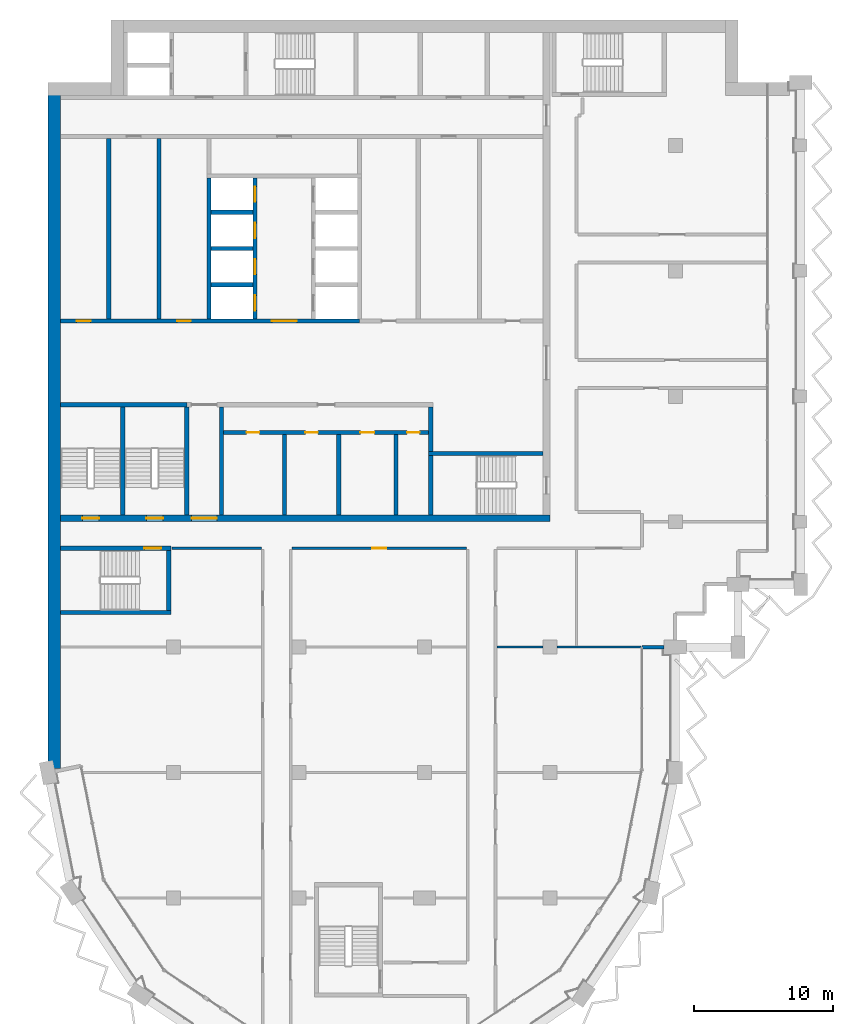
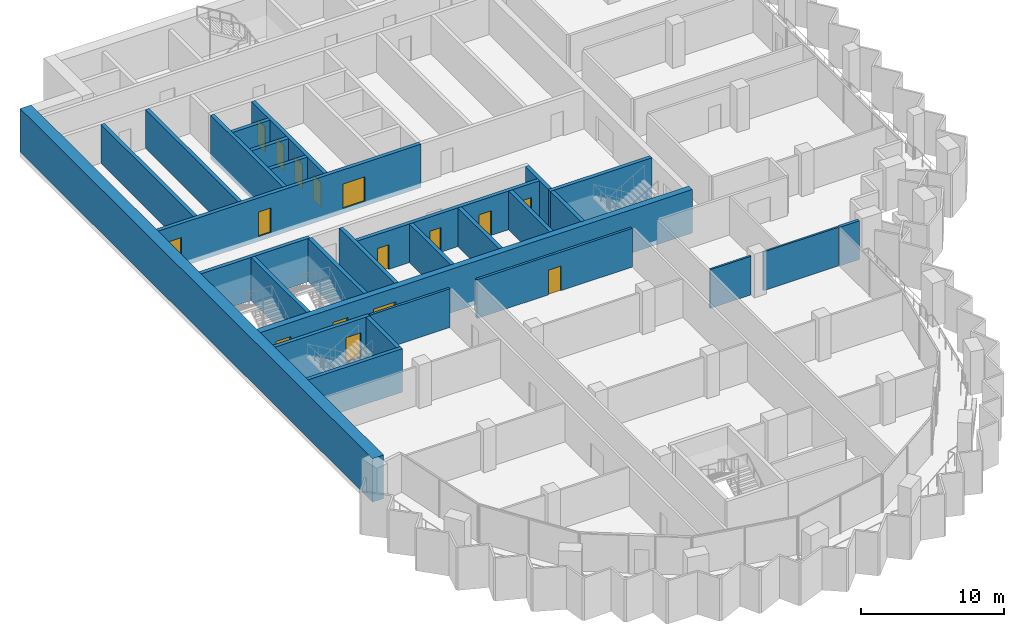
# One storey, part 8 of 16: 29 walls, 16 doors, 16 openings.
"""IFC4 building model written with IfcOpenShell, lengths in metres."""

from ifc_helpers import new_model, si_unit, direction, frame, frame_2d, origin, place, context, subcontext, project, spatial, rectangle, extrude, material, layer, layer_set, type_object, element, fill, save


model = new_model("IFC4")

# Units and contexts
model_context = context("Model", 3, precision=1e-05, world=origin(), true_north=direction((0.0, 1.0)))
body_context = subcontext(model_context, "Body", "Model", "MODEL_VIEW")
ifc_project = project(units=[si_unit("LENGTHUNIT", "METRE"), si_unit("AREAUNIT", "SQUARE_METRE"), si_unit("VOLUMEUNIT", "CUBIC_METRE"), si_unit("PLANEANGLEUNIT", "RADIAN"), si_unit("MASSUNIT", "GRAM", prefix="KILO")], contexts=[model_context])

# Site, building, storey
site_placement = place(None, origin())
site = spatial("IfcSite", under=ifc_project, at=site_placement, CompositionType="ELEMENT")
building_placement = place(site_placement, origin())
building = spatial("IfcBuilding", under=site, at=building_placement, Name="Hunhe Ridgeline Campus", CompositionType="ELEMENT")
storey_placement = place(building_placement, frame((0.0, 0.0, 242.89990234375)))
storey = spatial("IfcBuildingStorey", under=building, at=storey_placement, Name="L62", CompositionType="ELEMENT", Elevation=242.89990234375)

# Wall, openings, doors
ifc_material_1 = material(Name="Masonry concrete blockwork", Category="masonry")
ifc_layer_1 = layer(ifc_material_1, 0.300048828125)
ifc_layer_set_1 = layer_set([ifc_layer_1], Name="Core room partition 300 concrete block")
wall_type_1 = type_object("IfcWallType", Name="Core room partition 300 concrete block", PredefinedType="PARTITIONING", material=ifc_layer_set_1)
wall_1_placement = place(storey_placement, frame((12.60009765625, 69.39990234375, 0.0), z_axis=(0.0, 0.0, 1.0), x_axis=(1.0, 0.0, 0.0)))
wall_1 = element("IfcWall", 1, at=wall_1_placement, inside=storey, type_object=wall_type_1, Name="L62 core partition 7", PredefinedType="PARTITIONING", context=body_context, shape_type="SweptSolid", body=[
    extrude(rectangle(XDim=14.699951171875, YDim=0.300048828125, at=frame_2d((7.35009765625, 0.0))), origin(), (0.0, 0.0, 1.0), 3.300048828125),
])
opening_1_placement = place(wall_1_placement, frame((1.64990234375, 0.0, 0.0)))
opening_1 = element("IfcOpeningElement", 2, at=opening_1_placement, cuts=wall_1, Name="Opening CD8", PredefinedType="OPENING", context=body_context, shape_type="SweptSolid", body=[
    extrude(rectangle(XDim=0.89990234375, YDim=2.10009765625, at=frame_2d((0.449951171875, 1.050048828125))), frame((0.0, 0.14990234375, 0.0), z_axis=(0.0, -1.0, 0.0), x_axis=(1.0, 0.0, 0.0)), (0.0, 0.0, 1.0), 0.300048828125),
])
opening_2_placement = place(wall_1_placement, frame((5.85009765625, 0.0, 0.0)))
opening_2 = element("IfcOpeningElement", 3, at=opening_2_placement, cuts=wall_1, Name="Opening CD9", PredefinedType="OPENING", context=body_context, shape_type="SweptSolid", body=[
    extrude(rectangle(XDim=0.89990234375, YDim=2.10009765625, at=frame_2d((0.449951171875, 1.050048828125))), frame((0.0, 0.14990234375, 0.0), z_axis=(0.0, -1.0, 0.0), x_axis=(1.0, 0.0, 0.0)), (0.0, 0.0, 1.0), 0.300048828125),
])
opening_3_placement = place(wall_1_placement, frame((9.800048828125, 0.0, 0.0)))
opening_3 = element("IfcOpeningElement", 4, at=opening_3_placement, cuts=wall_1, Name="Opening CD10", PredefinedType="OPENING", context=body_context, shape_type="SweptSolid", body=[
    extrude(rectangle(XDim=1.0, YDim=2.10009765625, at=frame_2d((0.5, 1.050048828125))), frame((0.0, 0.14990234375, 0.0), z_axis=(0.0, -1.0, 0.0), x_axis=(1.0, 0.0, 0.0)), (0.0, 0.0, 1.0), 0.300048828125),
])
opening_4_placement = place(wall_1_placement, frame((13.14990234375, 0.0, 0.0)))
opening_4 = element("IfcOpeningElement", 5, at=opening_4_placement, cuts=wall_1, Name="Opening CD11", PredefinedType="OPENING", context=body_context, shape_type="SweptSolid", body=[
    extrude(rectangle(XDim=0.89990234375, YDim=2.10009765625, at=frame_2d((0.449951171875, 1.050048828125))), frame((0.0, 0.14990234375, 0.0), z_axis=(0.0, -1.0, 0.0), x_axis=(1.0, 0.0, 0.0)), (0.0, 0.0, 1.0), 0.300048828125),
])
ifc_material_2 = material(Name="Solid core timber door leaf", Category="wood")
door_type_1 = type_object("IfcDoorType", Name="Timber door 1000x2100", OperationType="SINGLE_SWING_LEFT", PredefinedType="DOOR", material=ifc_material_2)
door_1_placement = place(opening_3_placement, frame((1.0, 0.0, 0.0), z_axis=(0.0, 0.0, 1.0), x_axis=(-1.0, 0.0, 0.0)))
door_1 = element("IfcDoor", 6, at=door_1_placement, inside=storey, type_object=door_type_1, Name="L62 door WC3", OperationType="SINGLE_SWING_LEFT", OverallHeight=2.10009765625, OverallWidth=1.0, PredefinedType="DOOR", context=body_context, shape_type="SweptSolid", body=[
    extrude(rectangle(XDim=1.0, YDim=2.10009765625, at=frame_2d((0.5, 1.050048828125))), frame((0.0, 0.02490234375, 0.0), z_axis=(0.0, -1.0, 0.0), x_axis=(1.0, 0.0, 0.0)), (0.0, 0.0, 1.0), 0.050048828125),
])
fill(opening_3, door_1)
door_type_2 = type_object("IfcDoorType", Name="Timber door 900x2100", OperationType="SINGLE_SWING_LEFT", PredefinedType="DOOR", material=ifc_material_2)
door_2_placement = place(opening_1_placement, frame((0.89990234375, 0.0, 0.0), z_axis=(0.0, 0.0, 1.0), x_axis=(-1.0, 0.0, 0.0)))
door_2 = element("IfcDoor", 7, at=door_2_placement, inside=storey, type_object=door_type_2, Name="L62 door WC1", OperationType="SINGLE_SWING_LEFT", OverallHeight=2.10009765625, OverallWidth=0.89990234375, PredefinedType="DOOR", context=body_context, shape_type="SweptSolid", body=[
    extrude(rectangle(XDim=0.89990234375, YDim=2.10009765625, at=frame_2d((0.449951171875, 1.050048828125))), frame((0.0, 0.02490234375, 0.0), z_axis=(0.0, -1.0, 0.0), x_axis=(1.0, 0.0, 0.0)), (0.0, 0.0, 1.0), 0.050048828125),
])
fill(opening_1, door_2)
door_3_placement = place(opening_2_placement, frame((0.89990234375, 0.0, 0.0), z_axis=(0.0, 0.0, 1.0), x_axis=(-1.0, 0.0, 0.0)))
door_3 = element("IfcDoor", 8, at=door_3_placement, inside=storey, type_object=door_type_2, Name="L62 door WC2", OperationType="SINGLE_SWING_RIGHT", OverallHeight=2.10009765625, OverallWidth=0.89990234375, PredefinedType="DOOR", context=body_context, shape_type="SweptSolid", body=[
    extrude(rectangle(XDim=0.89990234375, YDim=2.10009765625, at=frame_2d((0.449951171875, 1.050048828125))), frame((0.0, 0.02490234375, 0.0), z_axis=(0.0, -1.0, 0.0), x_axis=(1.0, 0.0, 0.0)), (0.0, 0.0, 1.0), 0.050048828125),
])
fill(opening_2, door_3)
door_4_placement = place(opening_4_placement, frame((0.89990234375, 0.0, 0.0), z_axis=(0.0, 0.0, 1.0), x_axis=(-1.0, 0.0, 0.0)))
door_4 = element("IfcDoor", 9, at=door_4_placement, inside=storey, type_object=door_type_2, Name="L62 door WC4", OperationType="SINGLE_SWING_RIGHT", OverallHeight=2.10009765625, OverallWidth=0.89990234375, PredefinedType="DOOR", context=body_context, shape_type="SweptSolid", body=[
    extrude(rectangle(XDim=0.89990234375, YDim=2.10009765625, at=frame_2d((0.449951171875, 1.050048828125))), frame((0.0, 0.02490234375, 0.0), z_axis=(0.0, -1.0, 0.0), x_axis=(1.0, 0.0, 0.0)), (0.0, 0.0, 1.0), 0.050048828125),
])
fill(opening_4, door_4)

# Walls
for number, where, z_axis, x_axis, name in (
    (10, (4.35009765625, 77.550048828125, 0.0), (0.0, 0.0, 1.0), (0.0, 1.0, 0.0), "L62 core partition 23"),
    (11, (7.949951171875, 77.550048828125, 0.0), (0.0, 0.0, 1.0), (0.0, 1.0, 0.0), "L62 core partition 26"),
):
    element("IfcWall", number, at=place(storey_placement, frame(where, z_axis=z_axis, x_axis=x_axis)), inside=storey, type_object=wall_type_1, Name=name, PredefinedType="PARTITIONING", context=body_context, shape_type="SweptSolid", body=[
        extrude(rectangle(XDim=12.949951171875, YDim=0.300048828125, at=frame_2d((6.47509765625, 0.0))), origin(), (0.0, 0.0, 1.0), 3.300048828125),
    ])
wall_2_placement = place(storey_placement, frame((12.449951171875, 63.5, 0.0), z_axis=(0.0, 0.0, 1.0), x_axis=(0.0, 1.0, 0.0)))
element("IfcWall", 12, at=wall_2_placement, inside=storey, type_object=wall_type_1, Name="L62 core partition 32", PredefinedType="PARTITIONING", context=body_context, shape_type="SweptSolid", body=[
    extrude(rectangle(XDim=7.75, YDim=0.300048828125, at=frame_2d((3.875, 0.0))), origin(), (0.0, 0.0, 1.0), 3.300048828125),
])
for number, where, z_axis, x_axis, name in (
    (13, (16.949951171875, 63.5, 0.0), (0.0, 0.0, 1.0), (0.0, 1.0, 0.0), "L62 core partition 35"),
    (14, (20.85009765625, 63.5, 0.0), (0.0, 0.0, 1.0), (0.0, 1.0, 0.0), "L62 core partition 38"),
    (15, (24.949951171875, 63.5, 0.0), (0.0, 0.0, 1.0), (0.0, 1.0, 0.0), "L62 core partition 43"),
):
    element("IfcWall", number, at=place(storey_placement, frame(where, z_axis=z_axis, x_axis=x_axis)), inside=storey, type_object=wall_type_1, Name=name, PredefinedType="PARTITIONING", context=body_context, shape_type="SweptSolid", body=[
        extrude(rectangle(XDim=5.75, YDim=0.300048828125, at=frame_2d((2.875, 0.0))), origin(), (0.0, 0.0, 1.0), 3.300048828125),
    ])
wall_3_placement = place(storey_placement, frame((27.449951171875, 68.050048828125, 0.0), z_axis=(0.0, 0.0, 1.0), x_axis=(0.0, 1.0, 0.0)))
element("IfcWall", 16, at=wall_3_placement, inside=storey, type_object=wall_type_1, Name="L62 core partition 47", PredefinedType="PARTITIONING", context=body_context, shape_type="SweptSolid", body=[
    extrude(rectangle(XDim=3.199951171875, YDim=0.300048828125, at=frame_2d((1.60009765625, 0.0))), origin(), (0.0, 0.0, 1.0), 3.300048828125),
])

# Wall, openings, doors
ifc_material_3 = material(Name="Concrete C50", Category="concrete")
ifc_layer_2 = layer(ifc_material_3, 0.5)
ifc_layer_set_2 = layer_set([ifc_layer_2], Name="Core wall 500 reinforced concrete C50")
wall_type_2 = type_object("IfcWallType", Name="Core wall 500 reinforced concrete C50", PredefinedType="SOLIDWALL", material=ifc_layer_set_2)
wall_4_placement = place(storey_placement, frame((0.89990234375, 63.25, -0.39990234375), z_axis=(0.0, 0.0, 1.0), x_axis=(1.0, 0.0, 0.0)))
wall_4 = element("IfcWall", 17, at=wall_4_placement, inside=storey, type_object=wall_type_2, Name="L62 core wall 5", PredefinedType="SOLIDWALL", context=body_context, shape_type="SweptSolid", body=[
    extrude(rectangle(XDim=35.10009765625, YDim=0.5, at=frame_2d((17.550048828125, 0.0))), origin(), (0.0, 0.0, 1.0), 3.699951171875),
])
opening_5_placement = place(wall_4_placement, frame((9.39990234375, 0.0, 0.39990234375)))
opening_5 = element("IfcOpeningElement", 18, at=opening_5_placement, cuts=wall_4, Name="Opening CD6", PredefinedType="OPENING", context=body_context, shape_type="SweptSolid", body=[
    extrude(rectangle(XDim=1.800048828125, YDim=2.10009765625, at=frame_2d((0.89990234375, 1.050048828125))), frame((0.0, 0.25, 0.0), z_axis=(0.0, -1.0, 0.0), x_axis=(1.0, 0.0, 0.0)), (0.0, 0.0, 1.0), 0.5),
])
opening_6_placement = place(wall_4_placement, frame((1.550048828125, 0.0, 0.39990234375)))
opening_6 = element("IfcOpeningElement", 19, at=opening_6_placement, cuts=wall_4, Name="Opening CD13", PredefinedType="OPENING", context=body_context, shape_type="SweptSolid", body=[
    extrude(rectangle(XDim=1.199951171875, YDim=2.10009765625, at=frame_2d((0.60009765625, 1.050048828125))), frame((0.0, 0.25, 0.0), z_axis=(0.0, -1.0, 0.0), x_axis=(1.0, 0.0, 0.0)), (0.0, 0.0, 1.0), 0.5),
])
opening_7_placement = place(wall_4_placement, frame((6.14990234375, 0.0, 0.39990234375)))
opening_7 = element("IfcOpeningElement", 20, at=opening_7_placement, cuts=wall_4, Name="Opening CD14", PredefinedType="OPENING", context=body_context, shape_type="SweptSolid", body=[
    extrude(rectangle(XDim=1.199951171875, YDim=2.10009765625, at=frame_2d((0.60009765625, 1.050048828125))), frame((0.0, 0.25, 0.0), z_axis=(0.0, -1.0, 0.0), x_axis=(1.0, 0.0, 0.0)), (0.0, 0.0, 1.0), 0.5),
])
ifc_material_4 = material(Name="Anodised aluminium and glass", Category="aluminium")
door_type_3 = type_object("IfcDoorType", Name="Glazed double door 1800x2100", OperationType="DOUBLE_DOOR_SINGLE_SWING", PredefinedType="DOOR", material=ifc_material_4)
door_5_placement = place(opening_5_placement, frame((1.800048828125, 0.0, 0.0), z_axis=(0.0, 0.0, 1.0), x_axis=(-1.0, 0.0, 0.0)))
door_5 = element("IfcDoor", 21, at=door_5_placement, inside=storey, type_object=door_type_3, Name="L62 door VEST-FLOOR", OperationType="DOUBLE_DOOR_SINGLE_SWING", OverallHeight=2.10009765625, OverallWidth=1.800048828125, PredefinedType="DOOR", context=body_context, shape_type="SweptSolid", body=[
    extrude(rectangle(XDim=1.800048828125, YDim=2.10009765625, at=frame_2d((0.89990234375, 1.050048828125))), frame((0.0, 0.02490234375, 0.0), z_axis=(0.0, -1.0, 0.0), x_axis=(1.0, 0.0, 0.0)), (0.0, 0.0, 1.0), 0.050048828125),
])
fill(opening_5, door_5)
ifc_material_5 = material(Name="Hollow metal fire door leaf")
door_type_4 = type_object("IfcDoorType", Name="Stair door 1200x2100 FD60", OperationType="SINGLE_SWING_LEFT", PredefinedType="DOOR", material=ifc_material_5)
door_6_placement = place(opening_6_placement, frame((1.199951171875, 0.0, 0.0), z_axis=(0.0, 0.0, 1.0), x_axis=(-1.0, 0.0, 0.0)))
door_6 = element("IfcDoor", 22, at=door_6_placement, inside=storey, type_object=door_type_4, Name="L62 door S3", OperationType="SINGLE_SWING_LEFT", OverallHeight=2.10009765625, OverallWidth=1.199951171875, PredefinedType="DOOR", context=body_context, shape_type="SweptSolid", body=[
    extrude(rectangle(XDim=1.199951171875, YDim=2.10009765625, at=frame_2d((0.60009765625, 1.050048828125))), frame((0.0, 0.02490234375, 0.0), z_axis=(0.0, -1.0, 0.0), x_axis=(1.0, 0.0, 0.0)), (0.0, 0.0, 1.0), 0.050048828125),
])
fill(opening_6, door_6)
door_7_placement = place(opening_7_placement, frame((1.199951171875, 0.0, 0.0), z_axis=(0.0, 0.0, 1.0), x_axis=(-1.0, 0.0, 0.0)))
door_7 = element("IfcDoor", 23, at=door_7_placement, inside=storey, type_object=door_type_4, Name="L62 door S4", OperationType="SINGLE_SWING_RIGHT", OverallHeight=2.10009765625, OverallWidth=1.199951171875, PredefinedType="DOOR", context=body_context, shape_type="SweptSolid", body=[
    extrude(rectangle(XDim=1.199951171875, YDim=2.10009765625, at=frame_2d((0.60009765625, 1.050048828125))), frame((0.0, 0.02490234375, 0.0), z_axis=(0.0, -1.0, 0.0), x_axis=(1.0, 0.0, 0.0)), (0.0, 0.0, 1.0), 0.050048828125),
])
fill(opening_7, door_7)

# Walls
ifc_material_6 = material(Name="Concrete C30", Category="concrete")
ifc_layer_3 = layer(ifc_material_6, 0.25)
ifc_layer_set_3 = layer_set([ifc_layer_3], Name="Corner return wall 250 Concrete C30")
wall_type_3 = type_object("IfcWallType", Name="Corner return wall 250 Concrete C30", PredefinedType="SOLIDWALL", material=ifc_layer_set_3)
wall_5_placement = place(storey_placement, frame((42.59912109375, 54.00048828125, 0.0), z_axis=(0.0, 0.0, 1.0), x_axis=(0.999999988371, 0.000152508767, 0.0)))
element("IfcWall", 24, at=wall_5_placement, inside=storey, type_object=wall_type_3, Name="Corner return wall 2", PredefinedType="SOLIDWALL", context=body_context, shape_type="SweptSolid", body=[
    extrude(rectangle(XDim=1.600830078125, YDim=0.25, at=frame_2d((0.80029296875, 0.0))), origin(), (0.0, 0.0, 1.0), 3.300048828125),
])
ifc_material_7 = material(Name="Gypsum board partition")
ifc_layer_4 = layer(ifc_material_7, 0.199951171875)
ifc_layer_set_4 = layer_set([ifc_layer_4], Name="Corridor partition 200 gypsum board on steel studs")
wall_type_4 = type_object("IfcWallType", Name="Corridor partition 200 gypsum board on steel studs", PredefinedType="PARTITIONING", material=ifc_layer_set_4)
wall_6_placement = place(storey_placement, frame((15.300048828125, 61.10009765625, 0.0), z_axis=(0.0, 0.0, 1.0), x_axis=(-1.0, 0.0, 0.0)))
element("IfcWall", 25, at=wall_6_placement, inside=storey, type_object=wall_type_4, Name="F-L62-wall-022", PredefinedType="PARTITIONING", context=body_context, shape_type="SweptSolid", body=[
    extrude(rectangle(XDim=6.39599609375, YDim=0.199951171875, at=frame_2d((3.197998046875, 0.0))), origin(), (0.0, 0.0, 1.0), 3.300048828125),
])

# Wall, opening, door
wall_7_placement = place(storey_placement, frame((30.0, 61.10009765625, 0.0), z_axis=(0.0, 0.0, 1.0), x_axis=(-1.0, 0.0, 0.0)))
wall_7 = element("IfcWall", 26, at=wall_7_placement, inside=storey, type_object=wall_type_4, Name="F-L62-wall-023", PredefinedType="PARTITIONING", context=body_context, shape_type="SweptSolid", body=[
    extrude(rectangle(XDim=12.5, YDim=0.199951171875, at=frame_2d((6.25, 0.0))), origin(), (0.0, 0.0, 1.0), 3.300048828125),
])
opening_8_placement = place(wall_7_placement, frame((5.75, 0.0, 0.0)))
opening_8 = element("IfcOpeningElement", 27, at=opening_8_placement, cuts=wall_7, Name="Opening RD1-015", PredefinedType="OPENING", context=body_context, shape_type="SweptSolid", body=[
    extrude(rectangle(XDim=1.0, YDim=2.10009765625, at=frame_2d((0.5, 1.050048828125))), frame((0.0, 0.10009765625, 0.0), z_axis=(0.0, -1.0, 0.0), x_axis=(1.0, 0.0, 0.0)), (0.0, 0.0, 1.0), 0.199951171875),
])
ifc_material_8 = material(Name="Timber door leaf", Category="wood")
door_type_5 = type_object("IfcDoorType", Name="Single fire door 1000x2100 timber FD60", OperationType="NOTDEFINED", PredefinedType="DOOR", material=ifc_material_8)
door_8_placement = place(opening_8_placement, origin())
door_8 = element("IfcDoor", 28, at=door_8_placement, inside=storey, type_object=door_type_5, Name="F-L62-door-015", OperationType="SINGLE_SWING_LEFT", OverallHeight=2.10009765625, OverallWidth=1.0, PredefinedType="DOOR", context=body_context, shape_type="SweptSolid", body=[
    extrude(rectangle(XDim=1.0, YDim=2.10009765625, at=frame_2d((0.5, 1.050048828125))), frame((0.0, 0.02490234375, 0.0), z_axis=(0.0, -1.0, 0.0), x_axis=(1.0, 0.0, 0.0)), (0.0, 0.0, 1.0), 0.050048828125),
])
fill(opening_8, door_8)

# Walls
ifc_layer_5 = layer(ifc_material_7, 0.14990234375)
ifc_layer_set_5 = layer_set([ifc_layer_5], Name="Room partition 150 gypsum board on steel studs")
wall_type_5 = type_object("IfcWallType", Name="Room partition 150 gypsum board on steel studs", PredefinedType="PARTITIONING", material=ifc_layer_set_5)
wall_8_placement = place(storey_placement, frame((32.199951171875, 54.0, 0.0), z_axis=(0.0, 0.0, 1.0), x_axis=(1.0, 0.0, 0.0)))
element("IfcWall", 29, at=wall_8_placement, inside=storey, type_object=wall_type_5, Name="F-L62-wall-020", PredefinedType="PARTITIONING", context=body_context, shape_type="SweptSolid", body=[
    extrude(rectangle(XDim=3.300048828125, YDim=0.14990234375, at=frame_2d((1.64990234375, 0.0))), origin(), (0.0, 0.0, 1.0), 3.300048828125),
])
wall_9_placement = place(storey_placement, frame((36.5, 54.0, 0.0), z_axis=(0.0, 0.0, 1.0), x_axis=(1.0, 0.0, 0.0)))
element("IfcWall", 30, at=wall_9_placement, inside=storey, type_object=wall_type_5, Name="F-L62-wall-021", PredefinedType="PARTITIONING", context=body_context, shape_type="SweptSolid", body=[
    extrude(rectangle(XDim=6.045166015625, YDim=0.14990234375, at=frame_2d((3.0224609375, 0.0))), origin(), (0.0, 0.0, 1.0), 3.300048828125),
])

# Wall, openings, doors
ifc_layer_6 = layer(ifc_material_3, 0.300048828125)
ifc_layer_set_6 = layer_set([ifc_layer_6], Name="Shaft wall 300 reinforced concrete C50")
wall_type_6 = type_object("IfcWallType", Name="Shaft wall 300 reinforced concrete C50", PredefinedType="SOLIDWALL", material=ifc_layer_set_6)
wall_10_placement = place(storey_placement, frame((0.89990234375, 77.39990234375, -0.39990234375), z_axis=(0.0, 0.0, 1.0), x_axis=(1.0, 0.0, 0.0)))
wall_10 = element("IfcWall", 31, at=wall_10_placement, inside=storey, type_object=wall_type_6, Name="L62 core wall 10", PredefinedType="SOLIDWALL", context=body_context, shape_type="SweptSolid", body=[
    extrude(rectangle(XDim=21.4501953125, YDim=0.300048828125, at=frame_2d((10.72509765625, 0.0))), origin(), (0.0, 0.0, 1.0), 3.699951171875),
])
opening_9_placement = place(wall_10_placement, frame((15.14990234375, 0.0, 0.39990234375)))
opening_9 = element("IfcOpeningElement", 32, at=opening_9_placement, cuts=wall_10, Name="Opening CD38", PredefinedType="OPENING", context=body_context, shape_type="SweptSolid", body=[
    extrude(rectangle(XDim=1.800048828125, YDim=2.10009765625, at=frame_2d((0.89990234375, 1.050048828125))), frame((0.0, 0.14990234375, 0.0), z_axis=(0.0, -1.0, 0.0), x_axis=(1.0, 0.0, 0.0)), (0.0, 0.0, 1.0), 0.300048828125),
])
opening_10_placement = place(wall_10_placement, frame((1.14990234375, 0.0, 0.39990234375)))
opening_10 = element("IfcOpeningElement", 33, at=opening_10_placement, cuts=wall_10, Name="Opening CD39", PredefinedType="OPENING", context=body_context, shape_type="SweptSolid", body=[
    extrude(rectangle(XDim=1.0, YDim=2.10009765625, at=frame_2d((0.5, 1.050048828125))), frame((0.0, 0.14990234375, 0.0), z_axis=(0.0, -1.0, 0.0), x_axis=(1.0, 0.0, 0.0)), (0.0, 0.0, 1.0), 0.300048828125),
])
opening_11_placement = place(wall_10_placement, frame((8.35009765625, 0.0, 0.39990234375)))
opening_11 = element("IfcOpeningElement", 34, at=opening_11_placement, cuts=wall_10, Name="Opening CD41", PredefinedType="OPENING", context=body_context, shape_type="SweptSolid", body=[
    extrude(rectangle(XDim=1.0, YDim=2.10009765625, at=frame_2d((0.5, 1.050048828125))), frame((0.0, 0.14990234375, 0.0), z_axis=(0.0, -1.0, 0.0), x_axis=(1.0, 0.0, 0.0)), (0.0, 0.0, 1.0), 0.300048828125),
])
door_type_6 = type_object("IfcDoorType", Name="Lobby door 1800x2100 FD60", OperationType="SINGLE_SWING_LEFT", PredefinedType="DOOR", material=ifc_material_5)
door_9_placement = place(opening_9_placement, frame((1.800048828125, 0.0, 0.0), z_axis=(0.0, 0.0, 1.0), x_axis=(-1.0, 0.0, 0.0)))
door_9 = element("IfcDoor", 35, at=door_9_placement, inside=storey, type_object=door_type_6, Name="L62 door LOB-HR", OperationType="SINGLE_SWING_RIGHT", OverallHeight=2.10009765625, OverallWidth=1.800048828125, PredefinedType="DOOR", context=body_context, shape_type="SweptSolid", body=[
    extrude(rectangle(XDim=1.800048828125, YDim=2.10009765625, at=frame_2d((0.89990234375, 1.050048828125))), frame((0.0, 0.02490234375, 0.0), z_axis=(0.0, -1.0, 0.0), x_axis=(1.0, 0.0, 0.0)), (0.0, 0.0, 1.0), 0.050048828125),
])
fill(opening_9, door_9)
door_10_placement = place(opening_10_placement, origin())
door_10 = element("IfcDoor", 36, at=door_10_placement, inside=storey, type_object=door_type_1, Name="L62 door VD-LR0", OperationType="SINGLE_SWING_RIGHT", OverallHeight=2.10009765625, OverallWidth=1.0, PredefinedType="DOOR", context=body_context, shape_type="SweptSolid", body=[
    extrude(rectangle(XDim=1.0, YDim=2.10009765625, at=frame_2d((0.5, 1.050048828125))), frame((0.0, 0.02490234375, 0.0), z_axis=(0.0, -1.0, 0.0), x_axis=(1.0, 0.0, 0.0)), (0.0, 0.0, 1.0), 0.050048828125),
])
fill(opening_10, door_10)
door_11_placement = place(opening_11_placement, origin())
door_11 = element("IfcDoor", 37, at=door_11_placement, inside=storey, type_object=door_type_1, Name="L62 door VD-LR2", OperationType="SINGLE_SWING_RIGHT", OverallHeight=2.10009765625, OverallWidth=1.0, PredefinedType="DOOR", context=body_context, shape_type="SweptSolid", body=[
    extrude(rectangle(XDim=1.0, YDim=2.10009765625, at=frame_2d((0.5, 1.050048828125))), frame((0.0, 0.02490234375, 0.0), z_axis=(0.0, -1.0, 0.0), x_axis=(1.0, 0.0, 0.0)), (0.0, 0.0, 1.0), 0.050048828125),
])
fill(opening_11, door_11)

# Walls
for number, where, z_axis, x_axis, name in (
    (38, (11.699951171875, 80.0, -0.39990234375), (0.0, 0.0, 1.0), (1.0, 0.0, 0.0), "L62 core wall 12"),
    (39, (11.699951171875, 82.60009765625, -0.39990234375), (0.0, 0.0, 1.0), (1.0, 0.0, 0.0), "L62 core wall 14"),
    (40, (11.699951171875, 85.199951171875, -0.39990234375), (0.0, 0.0, 1.0), (1.0, 0.0, 0.0), "L62 core wall 16"),
):
    element("IfcWall", number, at=place(storey_placement, frame(where, z_axis=z_axis, x_axis=x_axis)), inside=storey, type_object=wall_type_6, Name=name, PredefinedType="SOLIDWALL", context=body_context, shape_type="SweptSolid", body=[
        extrude(rectangle(XDim=3.0, YDim=0.300048828125, at=frame_2d((1.5, 0.0))), origin(), (0.0, 0.0, 1.0), 3.699951171875),
    ])
wall_11_placement = place(storey_placement, frame((11.550048828125, 77.550048828125, -0.39990234375), z_axis=(0.0, 0.0, 1.0), x_axis=(0.0, 1.0, 0.0)))
element("IfcWall", 41, at=wall_11_placement, inside=storey, type_object=wall_type_6, Name="L62 core wall 30", PredefinedType="SOLIDWALL", context=body_context, shape_type="SweptSolid", body=[
    extrude(rectangle(XDim=10.099853515625, YDim=0.300048828125, at=frame_2d((5.0498046875, 0.0))), origin(), (0.0, 0.0, 1.0), 3.699951171875),
])

# Wall, openings, doors
wall_12_placement = place(storey_placement, frame((14.85009765625, 77.550048828125, -0.39990234375), z_axis=(0.0, 0.0, 1.0), x_axis=(0.0, 1.0, 0.0)))
wall_12 = element("IfcWall", 42, at=wall_12_placement, inside=storey, type_object=wall_type_6, Name="L62 core wall 34", PredefinedType="SOLIDWALL", context=body_context, shape_type="SweptSolid", body=[
    extrude(rectangle(XDim=10.099853515625, YDim=0.300048828125, at=frame_2d((5.0498046875, 0.0))), origin(), (0.0, 0.0, 1.0), 3.699951171875),
])
opening_12_placement = place(wall_12_placement, frame((0.60009765625, 0.0, 0.39990234375)))
opening_12 = element("IfcOpeningElement", 43, at=opening_12_placement, cuts=wall_12, Name="Opening LD-HR1", PredefinedType="OPENING", context=body_context, shape_type="SweptSolid", body=[
    extrude(rectangle(XDim=1.10009765625, YDim=2.10009765625, at=frame_2d((0.550048828125, 1.050048828125))), frame((0.0, 0.14990234375, 0.0), z_axis=(0.0, -1.0, 0.0), x_axis=(1.0, 0.0, 0.0)), (0.0, 0.0, 1.0), 0.300048828125),
])
opening_13_placement = place(wall_12_placement, frame((3.199951171875, 0.0, 0.39990234375)))
opening_13 = element("IfcOpeningElement", 44, at=opening_13_placement, cuts=wall_12, Name="Opening LD-HR2", PredefinedType="OPENING", context=body_context, shape_type="SweptSolid", body=[
    extrude(rectangle(XDim=1.10009765625, YDim=2.10009765625, at=frame_2d((0.550048828125, 1.050048828125))), frame((0.0, 0.14990234375, 0.0), z_axis=(0.0, -1.0, 0.0), x_axis=(1.0, 0.0, 0.0)), (0.0, 0.0, 1.0), 0.300048828125),
])
opening_14_placement = place(wall_12_placement, frame((5.800048828125, 0.0, 0.39990234375)))
opening_14 = element("IfcOpeningElement", 45, at=opening_14_placement, cuts=wall_12, Name="Opening LD-HR3", PredefinedType="OPENING", context=body_context, shape_type="SweptSolid", body=[
    extrude(rectangle(XDim=1.10009765625, YDim=2.10009765625, at=frame_2d((0.550048828125, 1.050048828125))), frame((0.0, 0.14990234375, 0.0), z_axis=(0.0, -1.0, 0.0), x_axis=(1.0, 0.0, 0.0)), (0.0, 0.0, 1.0), 0.300048828125),
])
opening_15_placement = place(wall_12_placement, frame((8.39990234375, 0.0, 0.39990234375)))
opening_15 = element("IfcOpeningElement", 46, at=opening_15_placement, cuts=wall_12, Name="Opening LD-HR4", PredefinedType="OPENING", context=body_context, shape_type="SweptSolid", body=[
    extrude(rectangle(XDim=1.10009765625, YDim=2.10009765625, at=frame_2d((0.550048828125, 1.050048828125))), frame((0.0, 0.14990234375, 0.0), z_axis=(0.0, -1.0, 0.0), x_axis=(1.0, 0.0, 0.0)), (0.0, 0.0, 1.0), 0.300048828125),
])
ifc_material_9 = material(Name="Stainless steel sliding leaves", Category="steel")
door_type_7 = type_object("IfcDoorType", Name="Landing door 1100x2100 FD120", OperationType="SLIDING_TO_LEFT", PredefinedType="DOOR", material=ifc_material_9)
door_12_placement = place(opening_12_placement, origin())
door_12 = element("IfcDoor", 47, at=door_12_placement, inside=storey, type_object=door_type_7, Name="L62 landing door HR1", OperationType="SLIDING_TO_RIGHT", OverallHeight=2.10009765625, OverallWidth=1.10009765625, PredefinedType="DOOR", context=body_context, shape_type="SweptSolid", body=[
    extrude(rectangle(XDim=1.10009765625, YDim=2.10009765625, at=frame_2d((0.550048828125, 1.050048828125))), frame((0.0, 0.02490234375, 0.0), z_axis=(0.0, -1.0, 0.0), x_axis=(1.0, 0.0, 0.0)), (0.0, 0.0, 1.0), 0.050048828125),
])
fill(opening_12, door_12)
door_13_placement = place(opening_13_placement, origin())
door_13 = element("IfcDoor", 48, at=door_13_placement, inside=storey, type_object=door_type_7, Name="L62 landing door HR2", OperationType="SLIDING_TO_LEFT", OverallHeight=2.10009765625, OverallWidth=1.10009765625, PredefinedType="DOOR", context=body_context, shape_type="SweptSolid", body=[
    extrude(rectangle(XDim=1.10009765625, YDim=2.10009765625, at=frame_2d((0.550048828125, 1.050048828125))), frame((0.0, 0.02490234375, 0.0), z_axis=(0.0, -1.0, 0.0), x_axis=(1.0, 0.0, 0.0)), (0.0, 0.0, 1.0), 0.050048828125),
])
fill(opening_13, door_13)
door_14_placement = place(opening_14_placement, origin())
door_14 = element("IfcDoor", 49, at=door_14_placement, inside=storey, type_object=door_type_7, Name="L62 landing door HR3", OperationType="SLIDING_TO_RIGHT", OverallHeight=2.10009765625, OverallWidth=1.10009765625, PredefinedType="DOOR", context=body_context, shape_type="SweptSolid", body=[
    extrude(rectangle(XDim=1.10009765625, YDim=2.10009765625, at=frame_2d((0.550048828125, 1.050048828125))), frame((0.0, 0.02490234375, 0.0), z_axis=(0.0, -1.0, 0.0), x_axis=(1.0, 0.0, 0.0)), (0.0, 0.0, 1.0), 0.050048828125),
])
fill(opening_14, door_14)
door_15_placement = place(opening_15_placement, origin())
door_15 = element("IfcDoor", 50, at=door_15_placement, inside=storey, type_object=door_type_7, Name="L62 landing door HR4", OperationType="SLIDING_TO_LEFT", OverallHeight=2.10009765625, OverallWidth=1.10009765625, PredefinedType="DOOR", context=body_context, shape_type="SweptSolid", body=[
    extrude(rectangle(XDim=1.10009765625, YDim=2.10009765625, at=frame_2d((0.550048828125, 1.050048828125))), frame((0.0, 0.02490234375, 0.0), z_axis=(0.0, -1.0, 0.0), x_axis=(1.0, 0.0, 0.0)), (0.0, 0.0, 1.0), 0.050048828125),
])
fill(opening_15, door_15)

# Walls
ifc_material_10 = material(Name="Concrete C60", Category="concrete")
ifc_layer_7 = layer(ifc_material_10, 0.89990234375)
ifc_layer_set_7 = layer_set([ifc_layer_7], Name="Spine wall 900 Concrete C60")
wall_type_7 = type_object("IfcWallType", Name="Spine wall 900 Concrete C60", PredefinedType="SHEAR", material=ifc_layer_set_7)
wall_13_placement = place(storey_placement, frame((0.449951171875, 94.5, 0.0), z_axis=(0.0, 0.0, 1.0), x_axis=(0.0, -1.0, 0.0)))
element("IfcWall", 51, at=wall_13_placement, inside=storey, type_object=wall_type_7, Name="Spine wall SW3-1 L62", PredefinedType="SHEAR", context=body_context, shape_type="SweptSolid", body=[
    extrude(rectangle(XDim=49.199462890625, YDim=0.89990234375, at=frame_2d((24.599609375, 0.0))), origin(), (0.0, 0.0, 1.0), 3.7001953125),
])
ifc_layer_8 = layer(ifc_material_3, 0.300048828125)
ifc_layer_set_8 = layer_set([ifc_layer_8], Name="Stair wall 300 reinforced concrete C50")
wall_type_8 = type_object("IfcWallType", Name="Stair wall 300 reinforced concrete C50", PredefinedType="SOLIDWALL", material=ifc_layer_set_8)
wall_14_placement = place(storey_placement, frame((0.89990234375, 56.5, -0.39990234375), z_axis=(0.0, 0.0, 1.0), x_axis=(1.0, 0.0, 0.0)))
element("IfcWall", 52, at=wall_14_placement, inside=storey, type_object=wall_type_8, Name="L62 core wall 3", PredefinedType="SOLIDWALL", context=body_context, shape_type="SweptSolid", body=[
    extrude(rectangle(XDim=7.900146484375, YDim=0.300048828125, at=frame_2d((3.9501953125, 0.0))), origin(), (0.0, 0.0, 1.0), 3.699951171875),
])

# Wall, opening, door
wall_15_placement = place(storey_placement, frame((0.89990234375, 61.10009765625, -0.39990234375), z_axis=(0.0, 0.0, 1.0), x_axis=(1.0, 0.0, 0.0)))
wall_15 = element("IfcWall", 53, at=wall_15_placement, inside=storey, type_object=wall_type_8, Name="L62 core wall 4", PredefinedType="SOLIDWALL", context=body_context, shape_type="SweptSolid", body=[
    extrude(rectangle(XDim=7.900146484375, YDim=0.300048828125, at=frame_2d((3.9501953125, 0.0))), origin(), (0.0, 0.0, 1.0), 3.699951171875),
])
opening_16_placement = place(wall_15_placement, frame((6.0, 0.0, 0.39990234375)))
opening_16 = element("IfcOpeningElement", 54, at=opening_16_placement, cuts=wall_15, Name="Opening CD22", PredefinedType="OPENING", context=body_context, shape_type="SweptSolid", body=[
    extrude(rectangle(XDim=1.199951171875, YDim=2.10009765625, at=frame_2d((0.60009765625, 1.050048828125))), frame((0.0, 0.14990234375, 0.0), z_axis=(0.0, -1.0, 0.0), x_axis=(1.0, 0.0, 0.0)), (0.0, 0.0, 1.0), 0.300048828125),
])
door_16_placement = place(opening_16_placement, origin())
door_16 = element("IfcDoor", 55, at=door_16_placement, inside=storey, type_object=door_type_4, Name="L62 door W2", OperationType="SINGLE_SWING_LEFT", OverallHeight=2.10009765625, OverallWidth=1.199951171875, PredefinedType="DOOR", context=body_context, shape_type="SweptSolid", body=[
    extrude(rectangle(XDim=1.199951171875, YDim=2.10009765625, at=frame_2d((0.60009765625, 1.050048828125))), frame((0.0, 0.02490234375, 0.0), z_axis=(0.0, -1.0, 0.0), x_axis=(1.0, 0.0, 0.0)), (0.0, 0.0, 1.0), 0.050048828125),
])
fill(opening_16, door_16)

# Walls
wall_16_placement = place(storey_placement, frame((27.300048828125, 67.89990234375, -0.39990234375), z_axis=(0.0, 0.0, 1.0), x_axis=(1.0, 0.0, 0.0)))
element("IfcWall", 56, at=wall_16_placement, inside=storey, type_object=wall_type_8, Name="L62 core wall 6", PredefinedType="SOLIDWALL", context=body_context, shape_type="SweptSolid", body=[
    extrude(rectangle(XDim=8.199951171875, YDim=0.300048828125, at=frame_2d((4.10009765625, 0.0))), origin(), (0.0, 0.0, 1.0), 3.699951171875),
])
wall_17_placement = place(storey_placement, frame((0.89990234375, 71.39990234375, -0.39990234375), z_axis=(0.0, 0.0, 1.0), x_axis=(1.0, 0.0, 0.0)))
element("IfcWall", 57, at=wall_17_placement, inside=storey, type_object=wall_type_8, Name="L62 core wall 8", PredefinedType="SOLIDWALL", context=body_context, shape_type="SweptSolid", body=[
    extrude(rectangle(XDim=9.050048828125, YDim=0.300048828125, at=frame_2d((4.52490234375, 0.0))), origin(), (0.0, 0.0, 1.0), 3.699951171875),
])
wall_18_placement = place(storey_placement, frame((5.35009765625, 63.5, -0.39990234375), z_axis=(0.0, 0.0, 1.0), x_axis=(0.0, 1.0, 0.0)))
element("IfcWall", 58, at=wall_18_placement, inside=storey, type_object=wall_type_8, Name="L62 core wall 24", PredefinedType="SOLIDWALL", context=body_context, shape_type="SweptSolid", body=[
    extrude(rectangle(XDim=7.75, YDim=0.300048828125, at=frame_2d((3.875, 0.0))), origin(), (0.0, 0.0, 1.0), 3.699951171875),
])
wall_19_placement = place(storey_placement, frame((8.64990234375, 56.64990234375, -0.39990234375), z_axis=(0.0, 0.0, 1.0), x_axis=(0.0, 1.0, 0.0)))
element("IfcWall", 59, at=wall_19_placement, inside=storey, type_object=wall_type_8, Name="L62 core wall 27", PredefinedType="SOLIDWALL", context=body_context, shape_type="SweptSolid", body=[
    extrude(rectangle(XDim=4.300048828125, YDim=0.300048828125, at=frame_2d((2.14990234375, 0.0))), origin(), (0.0, 0.0, 1.0), 3.699951171875),
])
wall_20_placement = place(storey_placement, frame((9.949951171875, 63.5, -0.39990234375), z_axis=(0.0, 0.0, 1.0), x_axis=(0.0, 1.0, 0.0)))
element("IfcWall", 60, at=wall_20_placement, inside=storey, type_object=wall_type_8, Name="L62 core wall 29", PredefinedType="SOLIDWALL", context=body_context, shape_type="SweptSolid", body=[
    extrude(rectangle(XDim=7.75, YDim=0.300048828125, at=frame_2d((3.875, 0.0))), origin(), (0.0, 0.0, 1.0), 3.699951171875),
])
wall_21_placement = place(storey_placement, frame((27.449951171875, 63.5, -0.39990234375), z_axis=(0.0, 0.0, 1.0), x_axis=(0.0, 1.0, 0.0)))
element("IfcWall", 61, at=wall_21_placement, inside=storey, type_object=wall_type_8, Name="L62 core wall 46", PredefinedType="SOLIDWALL", context=body_context, shape_type="SweptSolid", body=[
    extrude(rectangle(XDim=4.25, YDim=0.300048828125, at=frame_2d((2.125, 0.0))), origin(), (0.0, 0.0, 1.0), 3.699951171875),
])

save(model, "model.ifc")
